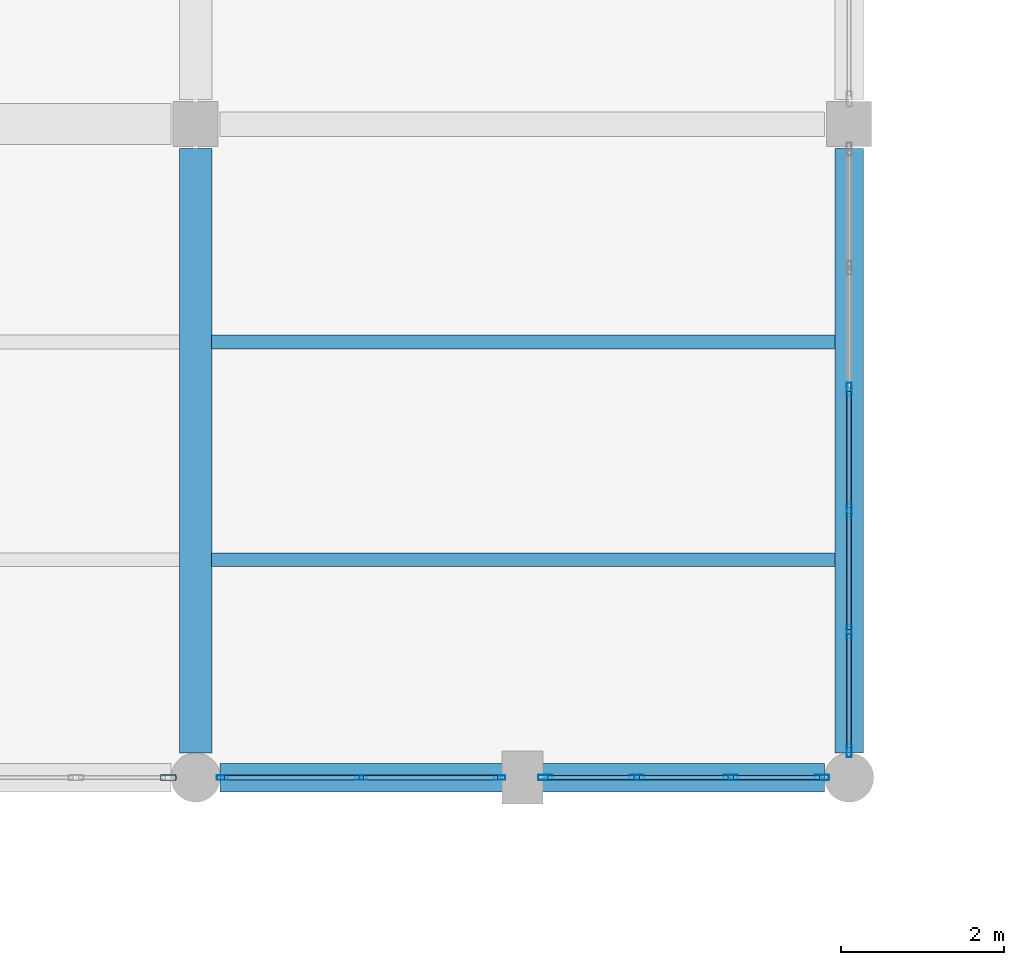
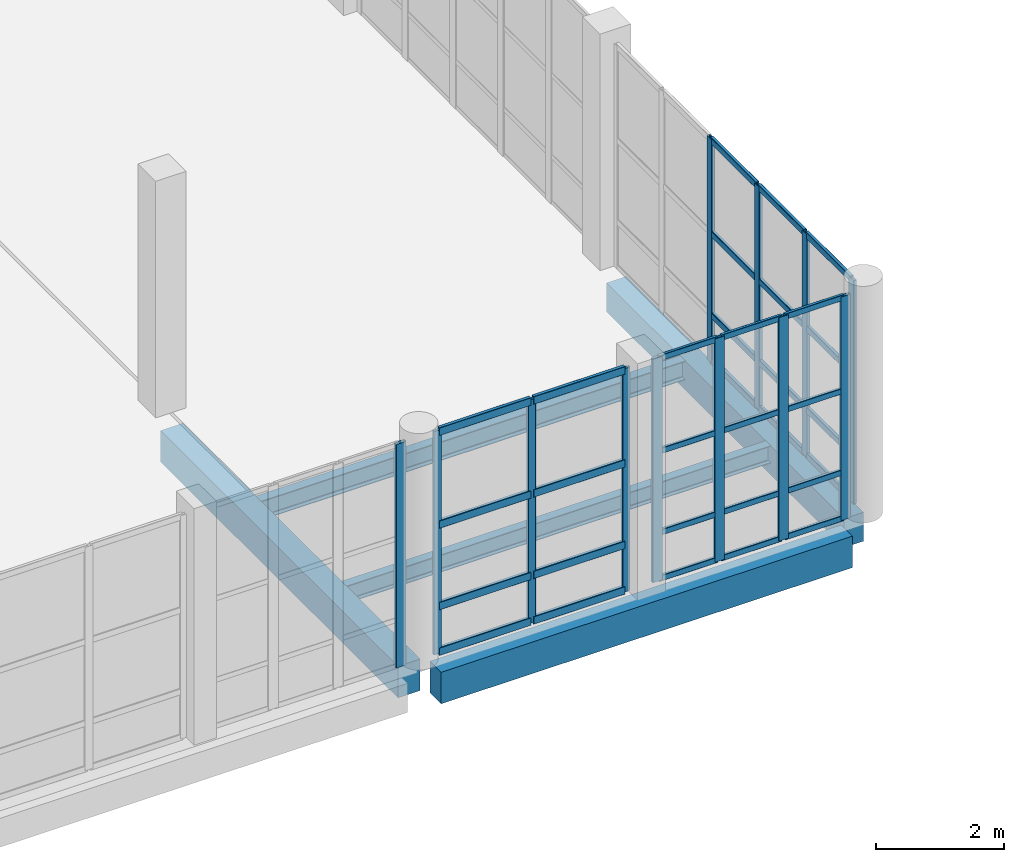
# One storey, part 29 of 183: 44 members, 5 beams, 4 elements without a shape of their own.
"""IFC4 building model written with IfcOpenShell, lengths in metres."""

from ifc_helpers import new_model, si_unit, direction, frame, origin, origin_2d, place, context, subcontext, project, spatial, rectangle, hollow_rectangle, i_section, extrude, material, material_profile, profile_set, type_object, element, aggregate, save


model = new_model("IFC4")

# Units and contexts
model_context = context("Model", 3, precision=1e-05, world=origin(), true_north=direction((0.0, 1.0)))
body_context = subcontext(model_context, "Body", "Model", "MODEL_VIEW")
ifc_project = project(units=[si_unit("LENGTHUNIT", "METRE"), si_unit("AREAUNIT", "SQUARE_METRE"), si_unit("VOLUMEUNIT", "CUBIC_METRE"), si_unit("PLANEANGLEUNIT", "RADIAN"), si_unit("MASSUNIT", "GRAM", prefix="KILO")], contexts=[model_context])

# Site, building, storey
site_placement = place(None, origin())
site = spatial("IfcSite", under=ifc_project, at=site_placement, CompositionType="ELEMENT")
building_placement = place(site_placement, origin())
building = spatial("IfcBuilding", under=site, at=building_placement, Name="Luwemba Playhouse", CompositionType="ELEMENT")
storey_placement = place(building_placement, frame((0.0, 0.0, 4.800048828125)))
storey = spatial("IfcBuildingStorey", under=building, at=storey_placement, Name="L01", CompositionType="ELEMENT", Elevation=4.800048828125)

# Beams
ifc_material_1 = material(Name="Concrete C40/50", Category="concrete")
ifc_material_profile_1 = material_profile(ifc_material_1, rectangle(XDim=0.39990234375, YDim=0.60009765625, at=origin_2d()))
ifc_profile_set_1 = profile_set([ifc_material_profile_1], Name="Concrete C40/50")
beam_type_1 = type_object("IfcBeamType", Name="BM-RB01", PredefinedType="BEAM", material=ifc_profile_set_1)
beam_1_placement = place(storey_placement, frame((52.0, 3.300048828125, -0.550048828125), z_axis=(0.0, 1.0, 0.0), x_axis=(-1.0, 0.0, 0.0)))
element("IfcBeam", 1, at=beam_1_placement, inside=storey, type_object=beam_type_1, Name="L01 transverse girder 0513", PredefinedType="BEAM", context=body_context, shape_type="SweptSolid", body=[
    extrude(rectangle(XDim=0.39990234375, YDim=0.60009765625, at=origin_2d()), origin(), (0.0, 0.0, 1.0), 7.39990234375),
])
ifc_material_2 = material(Name="Steel S355", Category="steel")
ifc_material_profile_2 = material_profile(ifc_material_2, i_section(OverallWidth=0.159912109375, OverallDepth=0.330078125, WebThickness=0.007568359375, FlangeThickness=0.011474609375, FilletRadius=0.01806640625, at=origin_2d()))
ifc_profile_set_2 = profile_set([ifc_material_profile_2], Name="Steel S355")
beam_type_2 = type_object("IfcBeamType", Name="BM-SJ06", PredefinedType="JOIST", material=ifc_profile_set_2)
beam_2_placement = place(storey_placement, frame((52.196044921875, 5.666748046875, -0.4150390625), z_axis=(1.0, 0.0, 0.0), x_axis=(0.0, 1.0, 0.0)))
element("IfcBeam", 2, at=beam_2_placement, inside=storey, type_object=beam_type_2, Name="L01 composite floor joist 0301", PredefinedType="JOIST", context=body_context, shape_type="SweptSolid", body=[
    extrude(i_section(OverallWidth=0.159912109375, OverallDepth=0.330078125, WebThickness=0.007568359375, FlangeThickness=0.011474609375, FilletRadius=0.01806640625, at=origin_2d()), origin(), (0.0, 0.0, 1.0), 7.633056640625),
])
ifc_material_profile_3 = material_profile(ifc_material_2, i_section(OverallWidth=0.169921875, OverallDepth=0.360107421875, WebThickness=0.008056640625, FlangeThickness=0.0126953125, FilletRadius=0.01806640625, at=origin_2d()))
ifc_profile_set_3 = profile_set([ifc_material_profile_3], Name="Steel S355")
beam_type_3 = type_object("IfcBeamType", Name="BM-SJ07", PredefinedType="JOIST", material=ifc_profile_set_3)
beam_3_placement = place(storey_placement, frame((52.196044921875, 8.333251953125, -0.429931640625), z_axis=(1.0, 0.0, 0.0), x_axis=(0.0, 1.0, 0.0)))
element("IfcBeam", 3, at=beam_3_placement, inside=storey, type_object=beam_type_3, Name="L01 composite floor joist 0302", PredefinedType="JOIST", context=body_context, shape_type="SweptSolid", body=[
    extrude(i_section(OverallWidth=0.169921875, OverallDepth=0.360107421875, WebThickness=0.008056640625, FlangeThickness=0.0126953125, FilletRadius=0.01806640625, at=origin_2d()), origin(), (0.0, 0.0, 1.0), 7.633056640625),
])
ifc_material_profile_4 = material_profile(ifc_material_1, rectangle(XDim=0.35009765625, YDim=0.550048828125, at=origin_2d()))
ifc_profile_set_4 = profile_set([ifc_material_profile_4], Name="Concrete C40/50")
beam_type_4 = type_object("IfcBeamType", Name="BM-SP2", PredefinedType="SPANDREL", material=ifc_profile_set_4)
beam_4_placement = place(storey_placement, frame((60.0, 3.300048828125, -0.525146484375), z_axis=(0.0, 1.0, 0.0), x_axis=(-1.0, 0.0, 0.0)))
element("IfcBeam", 4, at=beam_4_placement, inside=storey, type_object=beam_type_4, Name="L01 transverse girder 0516", PredefinedType="SPANDREL", context=body_context, shape_type="SweptSolid", body=[
    extrude(rectangle(XDim=0.35009765625, YDim=0.550048828125, at=origin_2d()), origin(), (0.0, 0.0, 1.0), 7.39990234375),
])
ifc_material_profile_5 = material_profile(ifc_material_1, rectangle(XDim=0.35009765625, YDim=0.60009765625, at=origin_2d()))
ifc_profile_set_5 = profile_set([ifc_material_profile_5], Name="Concrete C40/50")
beam_type_5 = type_object("IfcBeamType", Name="BM-SP3", PredefinedType="SPANDREL", material=ifc_profile_set_5)
beam_5_placement = place(storey_placement, frame((52.300048828125, 3.0, -0.550048828125), z_axis=(1.0, 0.0, 0.0), x_axis=(0.0, 1.0, 0.0)))
element("IfcBeam", 5, at=beam_5_placement, inside=storey, type_object=beam_type_5, Name="L01 grid girder 0474", PredefinedType="SPANDREL", context=body_context, shape_type="SweptSolid", body=[
    extrude(rectangle(XDim=0.35009765625, YDim=0.60009765625, at=origin_2d()), origin(), (0.0, 0.0, 1.0), 7.39990234375),
])

# Curtain wall, members
ifc_material_3 = material(Name="Solar-control double glazing", Category="glass")
curtain_wall_type_1 = type_object("IfcCurtainWallType", Name="CW-CW106", PredefinedType="USERDEFINED", material=ifc_material_3)
curtain_wall_1_placement = place(storey_placement, origin())
curtain_wall_1 = element("IfcCurtainWall", 6, at=curtain_wall_1_placement, inside=storey, type_object=curtain_wall_type_1, Name="L01 V5W unitised curtain wall 138", ObjectType="UNITISED GLAZING", PredefinedType="USERDEFINED")
ifc_material_4 = material(Name="Aluminium 6063-T6", Category="aluminium")
ifc_material_profile_6 = material_profile(ifc_material_4, hollow_rectangle(XDim=0.06005859375, YDim=0.159912109375, WallThickness=0.00390625, InnerFilletRadius=0.006103515625, OuterFilletRadius=0.010009765625, at=origin_2d()))
ifc_profile_set_6 = profile_set([ifc_material_profile_6], Name="Aluminium 6063-T6")
member_type_1 = type_object("IfcMemberType", Name="CWM-M1", PredefinedType="MULLION", material=ifc_profile_set_6)
member_1_placement = place(storey_placement, frame((60.0, 7.7548828125, 0.0), z_axis=(0.0, 0.0, 1.0), x_axis=(1.0, 0.0, 0.0)))
member_1 = element("IfcMember", 7, at=member_1_placement, type_object=member_type_1, Name="CW106 mullion 3", PredefinedType="MULLION", context=body_context, shape_type="SweptSolid", body=[
    extrude(hollow_rectangle(XDim=0.06005859375, YDim=0.159912109375, WallThickness=0.00390625, InnerFilletRadius=0.006103515625, OuterFilletRadius=0.010009765625, at=origin_2d()), origin(), (0.0, 0.0, 1.0), 4.25),
])
member_2_placement = place(storey_placement, frame((60.0, 6.27001953125, 0.0), z_axis=(0.0, 0.0, 1.0), x_axis=(1.0, 0.0, 0.0)))
member_2 = element("IfcMember", 8, at=member_2_placement, type_object=member_type_1, Name="CW106 mullion 4", PredefinedType="MULLION", context=body_context, shape_type="SweptSolid", body=[
    extrude(hollow_rectangle(XDim=0.06005859375, YDim=0.159912109375, WallThickness=0.00390625, InnerFilletRadius=0.006103515625, OuterFilletRadius=0.010009765625, at=origin_2d()), origin(), (0.0, 0.0, 1.0), 4.25),
])
member_3_placement = place(storey_placement, frame((60.0, 4.784912109375, 0.0), z_axis=(0.0, 0.0, 1.0), x_axis=(1.0, 0.0, 0.0)))
member_3 = element("IfcMember", 9, at=member_3_placement, type_object=member_type_1, Name="CW106 mullion 5", PredefinedType="MULLION", context=body_context, shape_type="SweptSolid", body=[
    extrude(hollow_rectangle(XDim=0.06005859375, YDim=0.159912109375, WallThickness=0.00390625, InnerFilletRadius=0.006103515625, OuterFilletRadius=0.010009765625, at=origin_2d()), origin(), (0.0, 0.0, 1.0), 4.25),
])
member_4_placement = place(storey_placement, frame((60.0, 3.330078125, 0.0), z_axis=(0.0, 0.0, 1.0), x_axis=(1.0, 0.0, 0.0)))
member_4 = element("IfcMember", 10, at=member_4_placement, type_object=member_type_1, Name="CW106 mullion 6", PredefinedType="MULLION", context=body_context, shape_type="SweptSolid", body=[
    extrude(hollow_rectangle(XDim=0.06005859375, YDim=0.159912109375, WallThickness=0.00390625, InnerFilletRadius=0.006103515625, OuterFilletRadius=0.010009765625, at=origin_2d()), origin(), (0.0, 0.0, 1.0), 4.25),
])

curtain_wall_type_2 = type_object("IfcCurtainWallType", Name="CW-CW107", PredefinedType="USERDEFINED", material=ifc_material_3)
curtain_wall_2_placement = place(storey_placement, origin())
curtain_wall_2 = element("IfcCurtainWall", 11, at=curtain_wall_2_placement, inside=storey, type_object=curtain_wall_type_2, Name="L01 V5W unitised curtain wall 139", ObjectType="UNITISED GLAZING", PredefinedType="USERDEFINED")
ifc_material_profile_7 = material_profile(ifc_material_4, hollow_rectangle(XDim=0.06494140625, YDim=0.179931640625, WallThickness=0.00439453125, InnerFilletRadius=0.0068359375, OuterFilletRadius=0.01123046875, at=origin_2d()))
ifc_profile_set_7 = profile_set([ifc_material_profile_7], Name="Aluminium 6063-T6")
member_type_2 = type_object("IfcMemberType", Name="CWM-M2", PredefinedType="MULLION", material=ifc_profile_set_7)
member_5_placement = place(storey_placement, frame((59.66748046875, 3.0, 0.0), z_axis=(0.0, 0.0, 1.0), x_axis=(0.0, -1.0, 0.0)))
member_5 = element("IfcMember", 12, at=member_5_placement, type_object=member_type_2, Name="CW107 mullion 1", PredefinedType="MULLION", context=body_context, shape_type="SweptSolid", body=[
    extrude(hollow_rectangle(XDim=0.06494140625, YDim=0.179931640625, WallThickness=0.00439453125, InnerFilletRadius=0.0068359375, OuterFilletRadius=0.01123046875, at=origin_2d()), origin(), (0.0, 0.0, 1.0), 4.25),
])
member_6_placement = place(storey_placement, frame((58.550048828125, 3.0, 0.0), z_axis=(0.0, 0.0, 1.0), x_axis=(0.0, -1.0, 0.0)))
member_6 = element("IfcMember", 13, at=member_6_placement, type_object=member_type_2, Name="CW107 mullion 2", PredefinedType="MULLION", context=body_context, shape_type="SweptSolid", body=[
    extrude(hollow_rectangle(XDim=0.06494140625, YDim=0.179931640625, WallThickness=0.00439453125, InnerFilletRadius=0.0068359375, OuterFilletRadius=0.01123046875, at=origin_2d()), origin(), (0.0, 0.0, 1.0), 4.25),
])
member_7_placement = place(storey_placement, frame((57.39990234375, 3.0, 0.0), z_axis=(0.0, 0.0, 1.0), x_axis=(0.0, -1.0, 0.0)))
member_7 = element("IfcMember", 14, at=member_7_placement, type_object=member_type_2, Name="CW107 mullion 3", PredefinedType="MULLION", context=body_context, shape_type="SweptSolid", body=[
    extrude(hollow_rectangle(XDim=0.06494140625, YDim=0.179931640625, WallThickness=0.00439453125, InnerFilletRadius=0.0068359375, OuterFilletRadius=0.01123046875, at=origin_2d()), origin(), (0.0, 0.0, 1.0), 4.25),
])
member_8_placement = place(storey_placement, frame((56.282470703125, 3.0, 0.0), z_axis=(0.0, 0.0, 1.0), x_axis=(0.0, -1.0, 0.0)))
member_8 = element("IfcMember", 15, at=member_8_placement, type_object=member_type_2, Name="CW107 mullion 4", PredefinedType="MULLION", context=body_context, shape_type="SweptSolid", body=[
    extrude(hollow_rectangle(XDim=0.06494140625, YDim=0.179931640625, WallThickness=0.00439453125, InnerFilletRadius=0.0068359375, OuterFilletRadius=0.01123046875, at=origin_2d()), origin(), (0.0, 0.0, 1.0), 4.25),
])

curtain_wall_type_3 = type_object("IfcCurtainWallType", Name="CW-CW108", PredefinedType="USERDEFINED", material=ifc_material_3)
curtain_wall_3_placement = place(storey_placement, origin())
curtain_wall_3 = element("IfcCurtainWall", 16, at=curtain_wall_3_placement, inside=storey, type_object=curtain_wall_type_3, Name="L01 V5W unitised curtain wall 140", ObjectType="UNITISED GLAZING", PredefinedType="USERDEFINED")
ifc_material_profile_8 = material_profile(ifc_material_4, hollow_rectangle(XDim=0.054931640625, YDim=0.139892578125, WallThickness=0.00390625, InnerFilletRadius=0.006103515625, OuterFilletRadius=0.010009765625, at=origin_2d()))
ifc_profile_set_8 = profile_set([ifc_material_profile_8], Name="Aluminium 6063-T6")
member_type_3 = type_object("IfcMemberType", Name="CWM-M3", PredefinedType="MULLION", material=ifc_profile_set_8)
member_9_placement = place(storey_placement, frame((55.722412109375, 3.0, 0.0), z_axis=(0.0, 0.0, 1.0), x_axis=(0.0, -1.0, 0.0)))
member_9 = element("IfcMember", 17, at=member_9_placement, type_object=member_type_3, Name="CW108 mullion 1", PredefinedType="MULLION", context=body_context, shape_type="SweptSolid", body=[
    extrude(hollow_rectangle(XDim=0.054931640625, YDim=0.139892578125, WallThickness=0.00390625, InnerFilletRadius=0.006103515625, OuterFilletRadius=0.010009765625, at=origin_2d()), origin(), (0.0, 0.0, 1.0), 4.25),
])
member_10_placement = place(storey_placement, frame((54.02490234375, 3.0, 0.0), z_axis=(0.0, 0.0, 1.0), x_axis=(0.0, -1.0, 0.0)))
member_10 = element("IfcMember", 18, at=member_10_placement, type_object=member_type_3, Name="CW108 mullion 2", PredefinedType="MULLION", context=body_context, shape_type="SweptSolid", body=[
    extrude(hollow_rectangle(XDim=0.054931640625, YDim=0.139892578125, WallThickness=0.00390625, InnerFilletRadius=0.006103515625, OuterFilletRadius=0.010009765625, at=origin_2d()), origin(), (0.0, 0.0, 1.0), 4.25),
])
member_11_placement = place(storey_placement, frame((52.327392578125, 3.0, 0.0), z_axis=(0.0, 0.0, 1.0), x_axis=(0.0, -1.0, 0.0)))
member_11 = element("IfcMember", 19, at=member_11_placement, type_object=member_type_3, Name="CW108 mullion 3", PredefinedType="MULLION", context=body_context, shape_type="SweptSolid", body=[
    extrude(hollow_rectangle(XDim=0.054931640625, YDim=0.139892578125, WallThickness=0.00390625, InnerFilletRadius=0.006103515625, OuterFilletRadius=0.010009765625, at=origin_2d()), origin(), (0.0, 0.0, 1.0), 4.25),
])

# Curtain wall, member
curtain_wall_type_4 = type_object("IfcCurtainWallType", Name="CW-CW109", PredefinedType="USERDEFINED", material=ifc_material_3)
curtain_wall_4_placement = place(storey_placement, origin())
curtain_wall_4 = element("IfcCurtainWall", 20, at=curtain_wall_4_placement, inside=storey, type_object=curtain_wall_type_4, Name="L01 V5W unitised curtain wall 141", ObjectType="UNITISED GLAZING", PredefinedType="USERDEFINED")
ifc_material_profile_9 = material_profile(ifc_material_4, hollow_rectangle(XDim=0.070068359375, YDim=0.18994140625, WallThickness=0.0048828125, InnerFilletRadius=0.007568359375, OuterFilletRadius=0.012451171875, at=origin_2d()))
ifc_profile_set_9 = profile_set([ifc_material_profile_9], Name="Aluminium 6063-T6")
member_type_4 = type_object("IfcMemberType", Name="CWM-M4", PredefinedType="MULLION", material=ifc_profile_set_9)
member_12_placement = place(storey_placement, frame((51.6650390625, 3.0, 0.0), z_axis=(0.0, 0.0, 1.0), x_axis=(0.0, -1.0, 0.0)))
member_12 = element("IfcMember", 21, at=member_12_placement, type_object=member_type_4, Name="CW109 mullion 1", PredefinedType="MULLION", context=body_context, shape_type="SweptSolid", body=[
    extrude(hollow_rectangle(XDim=0.070068359375, YDim=0.18994140625, WallThickness=0.0048828125, InnerFilletRadius=0.007568359375, OuterFilletRadius=0.012451171875, at=origin_2d()), origin(), (0.0, 0.0, 1.0), 4.25),
])
aggregate(curtain_wall_4, [member_12])

# Member
ifc_material_profile_10 = material_profile(ifc_material_4, hollow_rectangle(XDim=0.06005859375, YDim=0.1201171875, WallThickness=0.00390625, InnerFilletRadius=0.006103515625, OuterFilletRadius=0.010009765625, at=origin_2d()))
ifc_profile_set_10 = profile_set([ifc_material_profile_10], Name="Aluminium 6063-T6")
member_type_5 = type_object("IfcMemberType", Name="CWT-T1", PredefinedType="USERDEFINED", material=ifc_profile_set_10)
member_13_placement = place(storey_placement, frame((60.0, 7.72509765625, 0.030029296875), z_axis=(0.0, -1.0, 0.0), x_axis=(1.0, 0.0, 0.0)))
member_13 = element("IfcMember", 22, at=member_13_placement, type_object=member_type_5, Name="CW106 transom 3.1", ObjectType="TRANSOM", PredefinedType="USERDEFINED", context=body_context, shape_type="SweptSolid", body=[
    extrude(hollow_rectangle(XDim=0.06005859375, YDim=0.1201171875, WallThickness=0.00390625, InnerFilletRadius=0.006103515625, OuterFilletRadius=0.010009765625, at=origin_2d()), origin(), (0.0, 0.0, 1.0), 1.425048828125),
])

member_14_placement = place(storey_placement, frame((60.0, 7.72509765625, 0.89990234375), z_axis=(0.0, -1.0, 0.0), x_axis=(1.0, 0.0, 0.0)))
member_14 = element("IfcMember", 23, at=member_14_placement, type_object=member_type_5, Name="CW106 transom 3.2", ObjectType="TRANSOM", PredefinedType="USERDEFINED", context=body_context, shape_type="SweptSolid", body=[
    extrude(hollow_rectangle(XDim=0.06005859375, YDim=0.1201171875, WallThickness=0.00390625, InnerFilletRadius=0.006103515625, OuterFilletRadius=0.010009765625, at=origin_2d()), origin(), (0.0, 0.0, 1.0), 1.425048828125),
])

member_15_placement = place(storey_placement, frame((60.0, 7.72509765625, 2.449951171875), z_axis=(0.0, -1.0, 0.0), x_axis=(1.0, 0.0, 0.0)))
member_15 = element("IfcMember", 24, at=member_15_placement, type_object=member_type_5, Name="CW106 transom 3.3", ObjectType="TRANSOM", PredefinedType="USERDEFINED", context=body_context, shape_type="SweptSolid", body=[
    extrude(hollow_rectangle(XDim=0.06005859375, YDim=0.1201171875, WallThickness=0.00390625, InnerFilletRadius=0.006103515625, OuterFilletRadius=0.010009765625, at=origin_2d()), origin(), (0.0, 0.0, 1.0), 1.425048828125),
])

member_16_placement = place(storey_placement, frame((60.0, 7.72509765625, 4.219970703125), z_axis=(0.0, -1.0, 0.0), x_axis=(1.0, 0.0, 0.0)))
member_16 = element("IfcMember", 25, at=member_16_placement, type_object=member_type_5, Name="CW106 transom 3.4", ObjectType="TRANSOM", PredefinedType="USERDEFINED", context=body_context, shape_type="SweptSolid", body=[
    extrude(hollow_rectangle(XDim=0.06005859375, YDim=0.1201171875, WallThickness=0.00390625, InnerFilletRadius=0.006103515625, OuterFilletRadius=0.010009765625, at=origin_2d()), origin(), (0.0, 0.0, 1.0), 1.425048828125),
])

member_17_placement = place(storey_placement, frame((60.0, 6.239990234375, 0.030029296875), z_axis=(0.0, -1.0, 0.0), x_axis=(1.0, 0.0, 0.0)))
member_17 = element("IfcMember", 26, at=member_17_placement, type_object=member_type_5, Name="CW106 transom 4.1", ObjectType="TRANSOM", PredefinedType="USERDEFINED", context=body_context, shape_type="SweptSolid", body=[
    extrude(hollow_rectangle(XDim=0.06005859375, YDim=0.1201171875, WallThickness=0.00390625, InnerFilletRadius=0.006103515625, OuterFilletRadius=0.010009765625, at=origin_2d()), origin(), (0.0, 0.0, 1.0), 1.425048828125),
])

member_18_placement = place(storey_placement, frame((60.0, 6.239990234375, 0.89990234375), z_axis=(0.0, -1.0, 0.0), x_axis=(1.0, 0.0, 0.0)))
member_18 = element("IfcMember", 27, at=member_18_placement, type_object=member_type_5, Name="CW106 transom 4.2", ObjectType="TRANSOM", PredefinedType="USERDEFINED", context=body_context, shape_type="SweptSolid", body=[
    extrude(hollow_rectangle(XDim=0.06005859375, YDim=0.1201171875, WallThickness=0.00390625, InnerFilletRadius=0.006103515625, OuterFilletRadius=0.010009765625, at=origin_2d()), origin(), (0.0, 0.0, 1.0), 1.425048828125),
])

member_19_placement = place(storey_placement, frame((60.0, 6.239990234375, 2.449951171875), z_axis=(0.0, -1.0, 0.0), x_axis=(1.0, 0.0, 0.0)))
member_19 = element("IfcMember", 28, at=member_19_placement, type_object=member_type_5, Name="CW106 transom 4.3", ObjectType="TRANSOM", PredefinedType="USERDEFINED", context=body_context, shape_type="SweptSolid", body=[
    extrude(hollow_rectangle(XDim=0.06005859375, YDim=0.1201171875, WallThickness=0.00390625, InnerFilletRadius=0.006103515625, OuterFilletRadius=0.010009765625, at=origin_2d()), origin(), (0.0, 0.0, 1.0), 1.425048828125),
])

member_20_placement = place(storey_placement, frame((60.0, 6.239990234375, 4.219970703125), z_axis=(0.0, -1.0, 0.0), x_axis=(1.0, 0.0, 0.0)))
member_20 = element("IfcMember", 29, at=member_20_placement, type_object=member_type_5, Name="CW106 transom 4.4", ObjectType="TRANSOM", PredefinedType="USERDEFINED", context=body_context, shape_type="SweptSolid", body=[
    extrude(hollow_rectangle(XDim=0.06005859375, YDim=0.1201171875, WallThickness=0.00390625, InnerFilletRadius=0.006103515625, OuterFilletRadius=0.010009765625, at=origin_2d()), origin(), (0.0, 0.0, 1.0), 1.425048828125),
])

member_21_placement = place(storey_placement, frame((60.0, 4.7548828125, 0.030029296875), z_axis=(0.0, -1.0, 0.0), x_axis=(1.0, 0.0, 0.0)))
member_21 = element("IfcMember", 30, at=member_21_placement, type_object=member_type_5, Name="CW106 transom 5.1", ObjectType="TRANSOM", PredefinedType="USERDEFINED", context=body_context, shape_type="SweptSolid", body=[
    extrude(hollow_rectangle(XDim=0.06005859375, YDim=0.1201171875, WallThickness=0.00390625, InnerFilletRadius=0.006103515625, OuterFilletRadius=0.010009765625, at=origin_2d()), origin(), (0.0, 0.0, 1.0), 1.394775390625),
])

member_22_placement = place(storey_placement, frame((60.0, 4.7548828125, 0.89990234375), z_axis=(0.0, -1.0, 0.0), x_axis=(1.0, 0.0, 0.0)))
member_22 = element("IfcMember", 31, at=member_22_placement, type_object=member_type_5, Name="CW106 transom 5.2", ObjectType="TRANSOM", PredefinedType="USERDEFINED", context=body_context, shape_type="SweptSolid", body=[
    extrude(hollow_rectangle(XDim=0.06005859375, YDim=0.1201171875, WallThickness=0.00390625, InnerFilletRadius=0.006103515625, OuterFilletRadius=0.010009765625, at=origin_2d()), origin(), (0.0, 0.0, 1.0), 1.394775390625),
])

member_23_placement = place(storey_placement, frame((60.0, 4.7548828125, 2.449951171875), z_axis=(0.0, -1.0, 0.0), x_axis=(1.0, 0.0, 0.0)))
member_23 = element("IfcMember", 32, at=member_23_placement, type_object=member_type_5, Name="CW106 transom 5.3", ObjectType="TRANSOM", PredefinedType="USERDEFINED", context=body_context, shape_type="SweptSolid", body=[
    extrude(hollow_rectangle(XDim=0.06005859375, YDim=0.1201171875, WallThickness=0.00390625, InnerFilletRadius=0.006103515625, OuterFilletRadius=0.010009765625, at=origin_2d()), origin(), (0.0, 0.0, 1.0), 1.394775390625),
])

member_24_placement = place(storey_placement, frame((60.0, 4.7548828125, 4.219970703125), z_axis=(0.0, -1.0, 0.0), x_axis=(1.0, 0.0, 0.0)))
member_24 = element("IfcMember", 33, at=member_24_placement, type_object=member_type_5, Name="CW106 transom 5.4", ObjectType="TRANSOM", PredefinedType="USERDEFINED", context=body_context, shape_type="SweptSolid", body=[
    extrude(hollow_rectangle(XDim=0.06005859375, YDim=0.1201171875, WallThickness=0.00390625, InnerFilletRadius=0.006103515625, OuterFilletRadius=0.010009765625, at=origin_2d()), origin(), (0.0, 0.0, 1.0), 1.394775390625),
])

aggregate(curtain_wall_1, [member_1, member_2, member_3, member_4, member_13, member_14, member_15, member_16, member_17, member_18, member_19, member_20, member_21, member_22, member_23, member_24])

ifc_material_profile_11 = material_profile(ifc_material_4, hollow_rectangle(XDim=0.054931640625, YDim=0.110107421875, WallThickness=0.00341796875, InnerFilletRadius=0.00537109375, OuterFilletRadius=0.0087890625, at=origin_2d()))
ifc_profile_set_11 = profile_set([ifc_material_profile_11], Name="Aluminium 6063-T6")
member_type_6 = type_object("IfcMemberType", Name="CWT-T2", PredefinedType="USERDEFINED", material=ifc_profile_set_11)
member_25_placement = place(storey_placement, frame((59.635009765625, 3.0, 0.02734375), z_axis=(-1.0, 0.0, 0.0), x_axis=(0.0, -1.0, 0.0)))
member_25 = element("IfcMember", 34, at=member_25_placement, type_object=member_type_6, Name="CW107 transom 1.1", ObjectType="TRANSOM", PredefinedType="USERDEFINED", context=body_context, shape_type="SweptSolid", body=[
    extrude(hollow_rectangle(XDim=0.054931640625, YDim=0.110107421875, WallThickness=0.00341796875, InnerFilletRadius=0.00537109375, OuterFilletRadius=0.0087890625, at=origin_2d()), origin(), (0.0, 0.0, 1.0), 1.052490234375),
])

member_26_placement = place(storey_placement, frame((59.635009765625, 3.0, 0.89990234375), z_axis=(-1.0, 0.0, 0.0), x_axis=(0.0, -1.0, 0.0)))
member_26 = element("IfcMember", 35, at=member_26_placement, type_object=member_type_6, Name="CW107 transom 1.2", ObjectType="TRANSOM", PredefinedType="USERDEFINED", context=body_context, shape_type="SweptSolid", body=[
    extrude(hollow_rectangle(XDim=0.054931640625, YDim=0.110107421875, WallThickness=0.00341796875, InnerFilletRadius=0.00537109375, OuterFilletRadius=0.0087890625, at=origin_2d()), origin(), (0.0, 0.0, 1.0), 1.052490234375),
])

member_27_placement = place(storey_placement, frame((59.635009765625, 3.0, 2.449951171875), z_axis=(-1.0, 0.0, 0.0), x_axis=(0.0, -1.0, 0.0)))
member_27 = element("IfcMember", 36, at=member_27_placement, type_object=member_type_6, Name="CW107 transom 1.3", ObjectType="TRANSOM", PredefinedType="USERDEFINED", context=body_context, shape_type="SweptSolid", body=[
    extrude(hollow_rectangle(XDim=0.054931640625, YDim=0.110107421875, WallThickness=0.00341796875, InnerFilletRadius=0.00537109375, OuterFilletRadius=0.0087890625, at=origin_2d()), origin(), (0.0, 0.0, 1.0), 1.052490234375),
])

member_28_placement = place(storey_placement, frame((59.635009765625, 3.0, 4.222412109375), z_axis=(-1.0, 0.0, 0.0), x_axis=(0.0, -1.0, 0.0)))
member_28 = element("IfcMember", 37, at=member_28_placement, type_object=member_type_6, Name="CW107 transom 1.4", ObjectType="TRANSOM", PredefinedType="USERDEFINED", context=body_context, shape_type="SweptSolid", body=[
    extrude(hollow_rectangle(XDim=0.054931640625, YDim=0.110107421875, WallThickness=0.00341796875, InnerFilletRadius=0.00537109375, OuterFilletRadius=0.0087890625, at=origin_2d()), origin(), (0.0, 0.0, 1.0), 1.052490234375),
])

member_29_placement = place(storey_placement, frame((58.517578125, 3.0, 0.02734375), z_axis=(-1.0, 0.0, 0.0), x_axis=(0.0, -1.0, 0.0)))
member_29 = element("IfcMember", 38, at=member_29_placement, type_object=member_type_6, Name="CW107 transom 2.1", ObjectType="TRANSOM", PredefinedType="USERDEFINED", context=body_context, shape_type="SweptSolid", body=[
    extrude(hollow_rectangle(XDim=0.054931640625, YDim=0.110107421875, WallThickness=0.00341796875, InnerFilletRadius=0.00537109375, OuterFilletRadius=0.0087890625, at=origin_2d()), origin(), (0.0, 0.0, 1.0), 1.0849609375),
])

member_30_placement = place(storey_placement, frame((58.517578125, 3.0, 0.89990234375), z_axis=(-1.0, 0.0, 0.0), x_axis=(0.0, -1.0, 0.0)))
member_30 = element("IfcMember", 39, at=member_30_placement, type_object=member_type_6, Name="CW107 transom 2.2", ObjectType="TRANSOM", PredefinedType="USERDEFINED", context=body_context, shape_type="SweptSolid", body=[
    extrude(hollow_rectangle(XDim=0.054931640625, YDim=0.110107421875, WallThickness=0.00341796875, InnerFilletRadius=0.00537109375, OuterFilletRadius=0.0087890625, at=origin_2d()), origin(), (0.0, 0.0, 1.0), 1.0849609375),
])

member_31_placement = place(storey_placement, frame((58.517578125, 3.0, 2.449951171875), z_axis=(-1.0, 0.0, 0.0), x_axis=(0.0, -1.0, 0.0)))
member_31 = element("IfcMember", 40, at=member_31_placement, type_object=member_type_6, Name="CW107 transom 2.3", ObjectType="TRANSOM", PredefinedType="USERDEFINED", context=body_context, shape_type="SweptSolid", body=[
    extrude(hollow_rectangle(XDim=0.054931640625, YDim=0.110107421875, WallThickness=0.00341796875, InnerFilletRadius=0.00537109375, OuterFilletRadius=0.0087890625, at=origin_2d()), origin(), (0.0, 0.0, 1.0), 1.0849609375),
])

member_32_placement = place(storey_placement, frame((58.517578125, 3.0, 4.222412109375), z_axis=(-1.0, 0.0, 0.0), x_axis=(0.0, -1.0, 0.0)))
member_32 = element("IfcMember", 41, at=member_32_placement, type_object=member_type_6, Name="CW107 transom 2.4", ObjectType="TRANSOM", PredefinedType="USERDEFINED", context=body_context, shape_type="SweptSolid", body=[
    extrude(hollow_rectangle(XDim=0.054931640625, YDim=0.110107421875, WallThickness=0.00341796875, InnerFilletRadius=0.00537109375, OuterFilletRadius=0.0087890625, at=origin_2d()), origin(), (0.0, 0.0, 1.0), 1.0849609375),
])

member_33_placement = place(storey_placement, frame((57.367431640625, 3.0, 0.02734375), z_axis=(-1.0, 0.0, 0.0), x_axis=(0.0, -1.0, 0.0)))
member_33 = element("IfcMember", 42, at=member_33_placement, type_object=member_type_6, Name="CW107 transom 3.1", ObjectType="TRANSOM", PredefinedType="USERDEFINED", context=body_context, shape_type="SweptSolid", body=[
    extrude(hollow_rectangle(XDim=0.054931640625, YDim=0.110107421875, WallThickness=0.00341796875, InnerFilletRadius=0.00537109375, OuterFilletRadius=0.0087890625, at=origin_2d()), origin(), (0.0, 0.0, 1.0), 1.052490234375),
])

member_34_placement = place(storey_placement, frame((57.367431640625, 3.0, 0.89990234375), z_axis=(-1.0, 0.0, 0.0), x_axis=(0.0, -1.0, 0.0)))
member_34 = element("IfcMember", 43, at=member_34_placement, type_object=member_type_6, Name="CW107 transom 3.2", ObjectType="TRANSOM", PredefinedType="USERDEFINED", context=body_context, shape_type="SweptSolid", body=[
    extrude(hollow_rectangle(XDim=0.054931640625, YDim=0.110107421875, WallThickness=0.00341796875, InnerFilletRadius=0.00537109375, OuterFilletRadius=0.0087890625, at=origin_2d()), origin(), (0.0, 0.0, 1.0), 1.052490234375),
])

member_35_placement = place(storey_placement, frame((57.367431640625, 3.0, 2.449951171875), z_axis=(-1.0, 0.0, 0.0), x_axis=(0.0, -1.0, 0.0)))
member_35 = element("IfcMember", 44, at=member_35_placement, type_object=member_type_6, Name="CW107 transom 3.3", ObjectType="TRANSOM", PredefinedType="USERDEFINED", context=body_context, shape_type="SweptSolid", body=[
    extrude(hollow_rectangle(XDim=0.054931640625, YDim=0.110107421875, WallThickness=0.00341796875, InnerFilletRadius=0.00537109375, OuterFilletRadius=0.0087890625, at=origin_2d()), origin(), (0.0, 0.0, 1.0), 1.052490234375),
])

member_36_placement = place(storey_placement, frame((57.367431640625, 3.0, 4.222412109375), z_axis=(-1.0, 0.0, 0.0), x_axis=(0.0, -1.0, 0.0)))
member_36 = element("IfcMember", 45, at=member_36_placement, type_object=member_type_6, Name="CW107 transom 3.4", ObjectType="TRANSOM", PredefinedType="USERDEFINED", context=body_context, shape_type="SweptSolid", body=[
    extrude(hollow_rectangle(XDim=0.054931640625, YDim=0.110107421875, WallThickness=0.00341796875, InnerFilletRadius=0.00537109375, OuterFilletRadius=0.0087890625, at=origin_2d()), origin(), (0.0, 0.0, 1.0), 1.052490234375),
])

aggregate(curtain_wall_2, [member_5, member_6, member_7, member_8, member_25, member_26, member_27, member_28, member_29, member_30, member_31, member_32, member_33, member_34, member_35, member_36])

ifc_material_profile_12 = material_profile(ifc_material_4, hollow_rectangle(XDim=0.06494140625, YDim=0.14990234375, WallThickness=0.00390625, InnerFilletRadius=0.006103515625, OuterFilletRadius=0.010009765625, at=origin_2d()))
ifc_profile_set_12 = profile_set([ifc_material_profile_12], Name="Aluminium 6063-T6")
member_type_7 = type_object("IfcMemberType", Name="CWT-T3", PredefinedType="USERDEFINED", material=ifc_profile_set_12)
member_37_placement = place(storey_placement, frame((55.695068359375, 3.0, 0.032470703125), z_axis=(-1.0, 0.0, 0.0), x_axis=(0.0, -1.0, 0.0)))
member_37 = element("IfcMember", 46, at=member_37_placement, type_object=member_type_7, Name="CW108 transom 1.1", ObjectType="TRANSOM", PredefinedType="USERDEFINED", context=body_context, shape_type="SweptSolid", body=[
    extrude(hollow_rectangle(XDim=0.06494140625, YDim=0.14990234375, WallThickness=0.00390625, InnerFilletRadius=0.006103515625, OuterFilletRadius=0.010009765625, at=origin_2d()), origin(), (0.0, 0.0, 1.0), 1.642578125),
])

member_38_placement = place(storey_placement, frame((55.695068359375, 3.0, 0.89990234375), z_axis=(-1.0, 0.0, 0.0), x_axis=(0.0, -1.0, 0.0)))
member_38 = element("IfcMember", 47, at=member_38_placement, type_object=member_type_7, Name="CW108 transom 1.2", ObjectType="TRANSOM", PredefinedType="USERDEFINED", context=body_context, shape_type="SweptSolid", body=[
    extrude(hollow_rectangle(XDim=0.06494140625, YDim=0.14990234375, WallThickness=0.00390625, InnerFilletRadius=0.006103515625, OuterFilletRadius=0.010009765625, at=origin_2d()), origin(), (0.0, 0.0, 1.0), 1.642578125),
])

member_39_placement = place(storey_placement, frame((55.695068359375, 3.0, 2.449951171875), z_axis=(-1.0, 0.0, 0.0), x_axis=(0.0, -1.0, 0.0)))
member_39 = element("IfcMember", 48, at=member_39_placement, type_object=member_type_7, Name="CW108 transom 1.3", ObjectType="TRANSOM", PredefinedType="USERDEFINED", context=body_context, shape_type="SweptSolid", body=[
    extrude(hollow_rectangle(XDim=0.06494140625, YDim=0.14990234375, WallThickness=0.00390625, InnerFilletRadius=0.006103515625, OuterFilletRadius=0.010009765625, at=origin_2d()), origin(), (0.0, 0.0, 1.0), 1.642578125),
])

member_40_placement = place(storey_placement, frame((55.695068359375, 3.0, 4.217529296875), z_axis=(-1.0, 0.0, 0.0), x_axis=(0.0, -1.0, 0.0)))
member_40 = element("IfcMember", 49, at=member_40_placement, type_object=member_type_7, Name="CW108 transom 1.4", ObjectType="TRANSOM", PredefinedType="USERDEFINED", context=body_context, shape_type="SweptSolid", body=[
    extrude(hollow_rectangle(XDim=0.06494140625, YDim=0.14990234375, WallThickness=0.00390625, InnerFilletRadius=0.006103515625, OuterFilletRadius=0.010009765625, at=origin_2d()), origin(), (0.0, 0.0, 1.0), 1.642578125),
])

member_41_placement = place(storey_placement, frame((53.99755859375, 3.0, 0.032470703125), z_axis=(-1.0, 0.0, 0.0), x_axis=(0.0, -1.0, 0.0)))
member_41 = element("IfcMember", 50, at=member_41_placement, type_object=member_type_7, Name="CW108 transom 2.1", ObjectType="TRANSOM", PredefinedType="USERDEFINED", context=body_context, shape_type="SweptSolid", body=[
    extrude(hollow_rectangle(XDim=0.06494140625, YDim=0.14990234375, WallThickness=0.00390625, InnerFilletRadius=0.006103515625, OuterFilletRadius=0.010009765625, at=origin_2d()), origin(), (0.0, 0.0, 1.0), 1.642578125),
])

member_42_placement = place(storey_placement, frame((53.99755859375, 3.0, 0.89990234375), z_axis=(-1.0, 0.0, 0.0), x_axis=(0.0, -1.0, 0.0)))
member_42 = element("IfcMember", 51, at=member_42_placement, type_object=member_type_7, Name="CW108 transom 2.2", ObjectType="TRANSOM", PredefinedType="USERDEFINED", context=body_context, shape_type="SweptSolid", body=[
    extrude(hollow_rectangle(XDim=0.06494140625, YDim=0.14990234375, WallThickness=0.00390625, InnerFilletRadius=0.006103515625, OuterFilletRadius=0.010009765625, at=origin_2d()), origin(), (0.0, 0.0, 1.0), 1.642578125),
])

member_43_placement = place(storey_placement, frame((53.99755859375, 3.0, 2.449951171875), z_axis=(-1.0, 0.0, 0.0), x_axis=(0.0, -1.0, 0.0)))
member_43 = element("IfcMember", 52, at=member_43_placement, type_object=member_type_7, Name="CW108 transom 2.3", ObjectType="TRANSOM", PredefinedType="USERDEFINED", context=body_context, shape_type="SweptSolid", body=[
    extrude(hollow_rectangle(XDim=0.06494140625, YDim=0.14990234375, WallThickness=0.00390625, InnerFilletRadius=0.006103515625, OuterFilletRadius=0.010009765625, at=origin_2d()), origin(), (0.0, 0.0, 1.0), 1.642578125),
])

member_44_placement = place(storey_placement, frame((53.99755859375, 3.0, 4.217529296875), z_axis=(-1.0, 0.0, 0.0), x_axis=(0.0, -1.0, 0.0)))
member_44 = element("IfcMember", 53, at=member_44_placement, type_object=member_type_7, Name="CW108 transom 2.4", ObjectType="TRANSOM", PredefinedType="USERDEFINED", context=body_context, shape_type="SweptSolid", body=[
    extrude(hollow_rectangle(XDim=0.06494140625, YDim=0.14990234375, WallThickness=0.00390625, InnerFilletRadius=0.006103515625, OuterFilletRadius=0.010009765625, at=origin_2d()), origin(), (0.0, 0.0, 1.0), 1.642578125),
])

aggregate(curtain_wall_3, [member_9, member_10, member_11, member_37, member_38, member_39, member_40, member_41, member_42, member_43, member_44])

save(model, "model.ifc")
